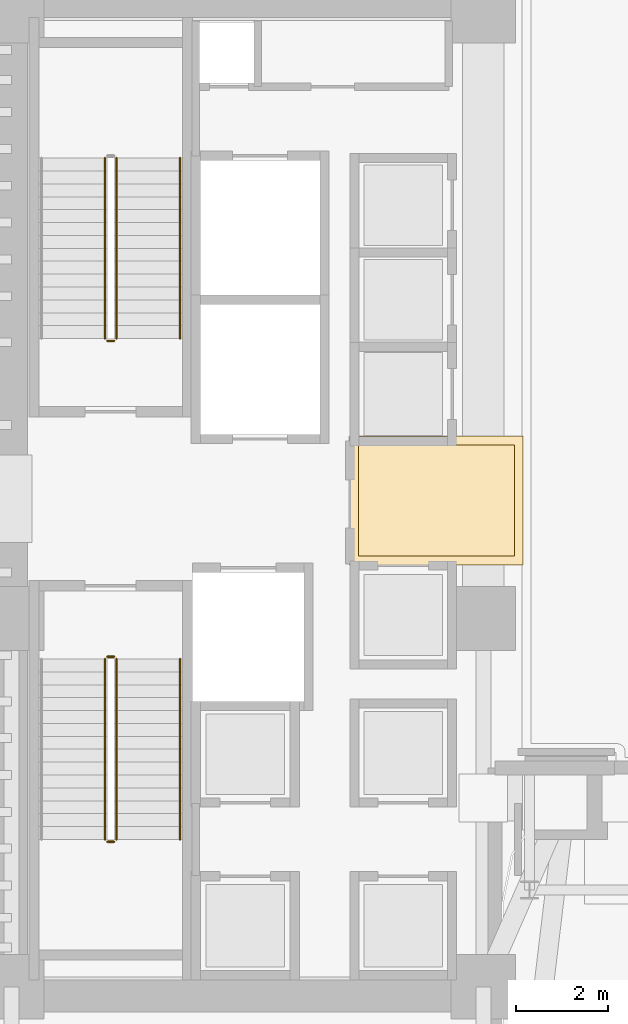
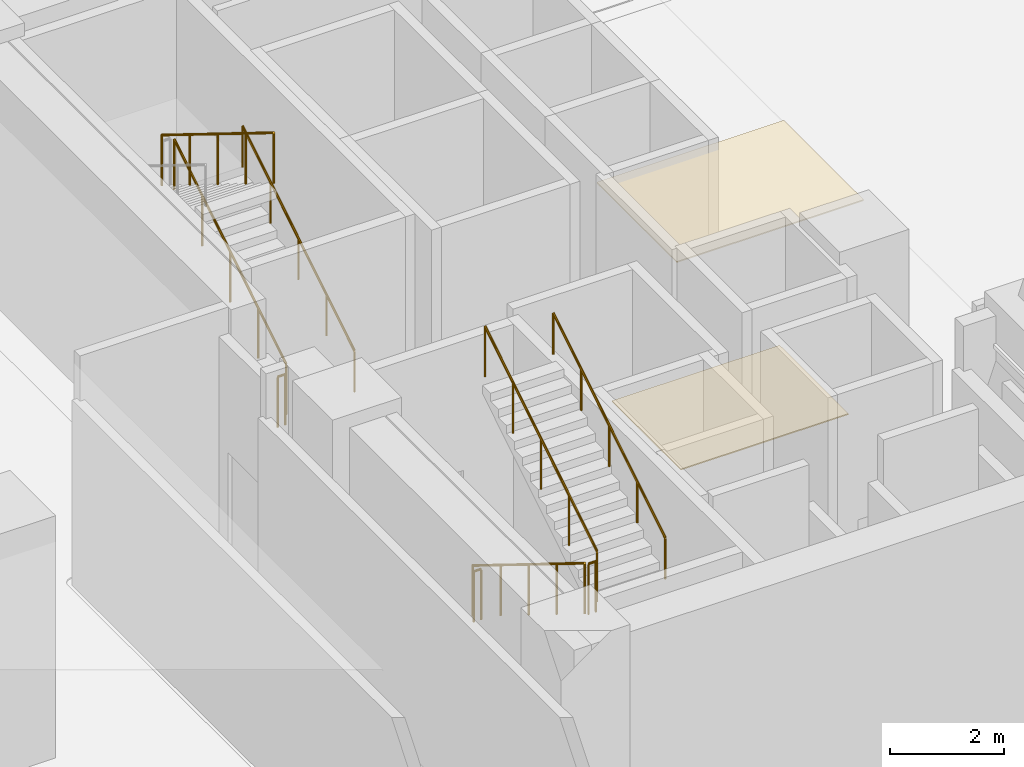
# One storey, part 21 of 27: 9 railings, 2 coverings.
"""IFC4 building model written with IfcOpenShell, lengths in metres."""

from ifc_helpers import new_model, si_unit, direction, frame, origin, origin_2d, place, context, subcontext, project, spatial, polyline, circle, outline, extrude, material, layer, layer_set, type_object, element, save


model = new_model("IFC4")

# Units and contexts
model_context = context("Model", 3, precision=1e-05, world=origin(), true_north=direction((0.0, 1.0)))
body_context = subcontext(model_context, "Body", "Model", "MODEL_VIEW")
ifc_project = project(units=[si_unit("LENGTHUNIT", "METRE"), si_unit("AREAUNIT", "SQUARE_METRE"), si_unit("VOLUMEUNIT", "CUBIC_METRE"), si_unit("PLANEANGLEUNIT", "RADIAN"), si_unit("MASSUNIT", "GRAM", prefix="KILO")], contexts=[model_context])

# Site, building, storey
site_placement = place(None, origin())
site = spatial("IfcSite", under=ifc_project, at=site_placement, CompositionType="ELEMENT")
building_placement = place(site_placement, origin())
building = spatial("IfcBuilding", under=site, at=building_placement, Name="Valdorenza Pilgrim Sanctuary Tower", CompositionType="ELEMENT")
storey_placement = place(building_placement, origin())
storey = spatial("IfcBuildingStorey", under=building, at=storey_placement, Name="L00", CompositionType="ELEMENT", Elevation=0.0)

# Coverings
ifc_material_1 = material(Name="Micro-perforated acoustic mineral ceiling tile", Category="gypsum")
ifc_layer_1 = layer(ifc_material_1, 0.02490234375, Name="Micro-perforated acoustic mineral ceiling tile")
ifc_layer_set_1 = layer_set([ifc_layer_1], Name="Micro-perforated acoustic mineral ceiling tile")
covering_type_1 = type_object("IfcCoveringType", Name="COV-CLG-ACU", PredefinedType="CEILING", material=ifc_layer_set_1)
covering_1_placement = place(storey_placement, frame((0.0, 0.0, 4.6201171875)))
element("IfcCovering", 1, at=covering_1_placement, inside=storey, type_object=covering_type_1, Name="L00 Core A Passenger Lift Lobby Acoustic Ceiling", PredefinedType="CEILING", context=body_context, shape_type="SweptSolid", body=[
    extrude(outline(polyline([(-15.31494140625, 1.35009765625), (-15.31494140625, 1.3515625), (-15.314697265625, 1.352783203125), (-15.314453125, 1.3544921875), (-15.31396484375, 1.355712890625), (-15.313232421875, 1.357177734375), (-15.3125, 1.3583984375), (-15.3115234375, 1.359619140625), (-15.310546875, 1.360595703125), (-15.3095703125, 1.361572265625), (-15.308349609375, 1.362548828125), (-15.30712890625, 1.36328125), (-15.3056640625, 1.364013671875), (-15.304443359375, 1.364501953125), (-15.302978515625, 1.36474609375), (-15.301513671875, 1.364990234375), (-15.300048828125, 1.364990234375), (-11.550048828125, 1.364990234375), (-11.548583984375, 1.364990234375), (-11.547119140625, 1.36474609375), (-11.545654296875, 1.364501953125), (-11.544189453125, 1.364013671875), (-11.54296875, 1.36328125), (-11.541748046875, 1.362548828125), (-11.54052734375, 1.361572265625), (-11.539306640625, 1.360595703125), (-11.538330078125, 1.359619140625), (-11.53759765625, 1.3583984375), (-11.536865234375, 1.357177734375), (-11.5361328125, 1.355712890625), (-11.53564453125, 1.3544921875), (-11.535400390625, 1.352783203125), (-11.53515625, 1.3515625), (-11.534912109375, 1.35009765625), (-11.534912109375, -1.419921875), (-11.53515625, -1.42138671875), (-11.535400390625, -1.4228515625), (-11.53564453125, -1.42431640625), (-11.5361328125, -1.42578125), (-11.536865234375, -1.427001953125), (-11.53759765625, -1.42822265625), (-11.538330078125, -1.429443359375), (-11.539306640625, -1.4306640625), (-11.54052734375, -1.431640625), (-11.541748046875, -1.4326171875), (-11.54296875, -1.43310546875), (-11.544189453125, -1.433837890625), (-11.545654296875, -1.434326171875), (-11.547119140625, -1.434814453125), (-11.548583984375, -1.434814453125), (-11.550048828125, -1.43505859375), (-15.298095703125, -1.43505859375), (-15.299560546875, -1.434814453125), (-15.30078125, -1.434814453125), (-15.302490234375, -1.434326171875), (-15.3037109375, -1.433837890625), (-15.30517578125, -1.43310546875), (-15.306396484375, -1.4326171875), (-15.3076171875, -1.431640625), (-15.30859375, -1.4306640625), (-15.3095703125, -1.429443359375), (-15.310546875, -1.42822265625), (-15.311279296875, -1.427001953125), (-15.31201171875, -1.42578125), (-15.3125, -1.42431640625), (-15.312744140625, -1.4228515625), (-15.31298828125, -1.42138671875), (-15.31298828125, -1.419921875), (-15.31298828125, 1.244384765625), (-15.31298828125, 1.24462890625), (-15.313720703125, 1.24609375), (-15.314208984375, 1.24755859375), (-15.314697265625, 1.2490234375), (-15.31494140625, 1.25048828125), (-15.31494140625, 1.251953125), (-15.31494140625, 1.35009765625)])), origin(), (0.0, 0.0, 1.0), 0.02490234375),
])
ifc_material_2 = material(Name="Honed travertine stone flooring", Category="masonry")
ifc_layer_2 = layer(ifc_material_2, 0.030029296875, Name="Honed travertine stone flooring")
ifc_layer_set_2 = layer_set([ifc_layer_2], Name="Honed travertine stone flooring")
covering_type_2 = type_object("IfcCoveringType", Name="COV-FLR-TRV", PredefinedType="FLOORING", material=ifc_layer_set_2)
covering_2_placement = place(storey_placement, origin())
element("IfcCovering", 2, at=covering_2_placement, inside=storey, type_object=covering_type_2, Name="L00 Core A Passenger Lift Lobby Flooring", PredefinedType="FLOORING", context=body_context, shape_type="SweptSolid", body=[
    extrude(outline(polyline([(-15.117919921875, 1.169921875), (-11.72998046875, 1.169921875), (-11.72998046875, -1.239990234375), (-15.117919921875, -1.239990234375), (-15.117919921875, 1.169921875)])), origin(), (0.0, 0.0, 1.0), 0.02490234375),
])

# Railings
ifc_material_3 = material(Name="Stainless steel Grade 316", Category="steel")
railing_type_1 = type_object("IfcRailingType", Name="RLG-GRD-1120", PredefinedType="GUARDRAIL", material=ifc_material_3)
railing_1_placement = place(storey_placement, frame((-20.3701171875, 3.47998046875, 0.17333984375)))
element("IfcRailing", 3, at=railing_1_placement, inside=storey, type_object=railing_type_1, Name="L00 ST-A1 stair guard 1", PredefinedType="GUARDRAIL", context=body_context, shape_type="SweptSolid", body=[
    extrude(circle(Radius=0.02392578125, at=origin_2d()), frame((0.0, 0.0, 1.076171875), z_axis=(0.0, 0.850251603719, 0.526376491091), x_axis=(-1.0, 0.0, 0.0)), (0.0, 0.0, 1.0), 4.6103515625),
    extrude(circle(Radius=0.02099609375, at=origin_2d()), origin(), (0.0, 0.0, 1.0), 1.052001953125),
    extrude(circle(Radius=0.02099609375, at=origin_2d()), frame((0.0, 0.97998046875, 0.606689453125)), (0.0, 0.0, 1.0), 1.052001953125),
    extrude(circle(Radius=0.02099609375, at=origin_2d()), frame((0.0, 1.9599609375, 1.21337890625)), (0.0, 0.0, 1.0), 1.052001953125),
    extrude(circle(Radius=0.02099609375, at=origin_2d()), frame((0.0, 2.93994140625, 1.820068359375)), (0.0, 0.0, 1.0), 1.052001953125),
    extrude(circle(Radius=0.02099609375, at=origin_2d()), frame((0.0, 3.919921875, 2.4267578125)), (0.0, 0.0, 1.0), 1.052001953125),
])
railing_2_placement = place(storey_placement, frame((-20.6201171875, 7.39990234375, 2.7734375)))
element("IfcRailing", 4, at=railing_2_placement, inside=storey, type_object=railing_type_1, Name="L00 ST-A1 stair guard 3", PredefinedType="GUARDRAIL", context=body_context, shape_type="SweptSolid", body=[
    extrude(circle(Radius=0.02392578125, at=origin_2d()), frame((0.0, 0.0, 1.076171875), z_axis=(0.0, -0.850275303828, 0.526338206574), x_axis=(1.0, 0.0, 0.0)), (0.0, 0.0, 1.0), 4.610107421875),
    extrude(circle(Radius=0.02099609375, at=origin_2d()), origin(), (0.0, 0.0, 1.0), 1.052001953125),
    extrude(circle(Radius=0.02099609375, at=origin_2d()), frame((0.0, -0.97998046875, 0.606689453125)), (0.0, 0.0, 1.0), 1.052001953125),
    extrude(circle(Radius=0.02099609375, at=origin_2d()), frame((0.0, -1.9599609375, 1.21337890625)), (0.0, 0.0, 1.0), 1.052001953125),
    extrude(circle(Radius=0.02099609375, at=origin_2d()), frame((0.0, -2.93994140625, 1.81982421875)), (0.0, 0.0, 1.0), 1.052001953125),
    extrude(circle(Radius=0.02099609375, at=origin_2d()), frame((0.0, -3.919921875, 2.426513671875)), (0.0, 0.0, 1.0), 1.052001953125),
])
railing_3_placement = place(storey_placement, frame((-20.419921875, 3.429931640625, 0.0)))
element("IfcRailing", 5, at=railing_3_placement, inside=storey, type_object=railing_type_1, Name="L00 ST-A1 stair guard 4", PredefinedType="GUARDRAIL", context=body_context, shape_type="SweptSolid", body=[
    extrude(circle(Radius=0.02392578125, at=origin_2d()), frame((0.0, 0.0, 1.076171875), z_axis=(-1.0, 0.0, 0.0), x_axis=(0.0, -1.0, 0.0)), (0.0, 0.0, 1.0), 0.150146484375),
    extrude(circle(Radius=0.02099609375, at=origin_2d()), origin(), (0.0, 0.0, 1.0), 1.052001953125),
    extrude(circle(Radius=0.02099609375, at=origin_2d()), frame((-0.150146484375, 0.0, 0.0)), (0.0, 0.0, 1.0), 1.052001953125),
])
railing_4_placement = place(storey_placement, frame((-20.6201171875, -3.47998046875, 0.17333984375)))
element("IfcRailing", 6, at=railing_4_placement, inside=storey, type_object=railing_type_1, Name="L00 ST-A2 stair guard 1", PredefinedType="GUARDRAIL", context=body_context, shape_type="SweptSolid", body=[
    extrude(circle(Radius=0.02392578125, at=origin_2d()), frame((0.0, 0.0, 1.076171875), z_axis=(0.0, -0.850251603719, 0.526376491091), x_axis=(1.0, 0.0, 0.0)), (0.0, 0.0, 1.0), 4.6103515625),
    extrude(circle(Radius=0.02099609375, at=origin_2d()), origin(), (0.0, 0.0, 1.0), 1.052001953125),
    extrude(circle(Radius=0.02099609375, at=origin_2d()), frame((0.0, -0.97998046875, 0.606689453125)), (0.0, 0.0, 1.0), 1.052001953125),
    extrude(circle(Radius=0.02099609375, at=origin_2d()), frame((0.0, -1.9599609375, 1.21337890625)), (0.0, 0.0, 1.0), 1.052001953125),
    extrude(circle(Radius=0.02099609375, at=origin_2d()), frame((0.0, -2.93994140625, 1.820068359375)), (0.0, 0.0, 1.0), 1.052001953125),
    extrude(circle(Radius=0.02099609375, at=origin_2d()), frame((0.0, -3.919921875, 2.4267578125)), (0.0, 0.0, 1.0), 1.052001953125),
])
railing_5_placement = place(storey_placement, frame((-20.570068359375, -7.449951171875, 2.60009765625)))
element("IfcRailing", 7, at=railing_5_placement, inside=storey, type_object=railing_type_1, Name="L00 ST-A2 stair guard 2", PredefinedType="GUARDRAIL", context=body_context, shape_type="SweptSolid", body=[
    extrude(circle(Radius=0.02392578125, at=origin_2d()), frame((0.0, 0.0, 1.076171875), z_axis=(1.0, 0.0, 0.0), x_axis=(0.0, 1.0, 0.0)), (0.0, 0.0, 1.0), 0.150146484375),
    extrude(circle(Radius=0.02099609375, at=origin_2d()), origin(), (0.0, 0.0, 1.0), 1.052001953125),
    extrude(circle(Radius=0.02099609375, at=origin_2d()), frame((0.150146484375, 0.0, 0.0)), (0.0, 0.0, 1.0), 1.052001953125),
])
railing_6_placement = place(storey_placement, frame((-20.3701171875, -7.39990234375, 2.7734375)))
element("IfcRailing", 8, at=railing_6_placement, inside=storey, type_object=railing_type_1, Name="L00 ST-A2 stair guard 3", PredefinedType="GUARDRAIL", context=body_context, shape_type="SweptSolid", body=[
    extrude(circle(Radius=0.02392578125, at=origin_2d()), frame((0.0, 0.0, 1.076171875), z_axis=(0.0, 0.850275303828, 0.526338206574), x_axis=(-1.0, 0.0, 0.0)), (0.0, 0.0, 1.0), 4.610107421875),
    extrude(circle(Radius=0.02099609375, at=origin_2d()), origin(), (0.0, 0.0, 1.0), 1.052001953125),
    extrude(circle(Radius=0.02099609375, at=origin_2d()), frame((0.0, 0.97998046875, 0.606689453125)), (0.0, 0.0, 1.0), 1.052001953125),
    extrude(circle(Radius=0.02099609375, at=origin_2d()), frame((0.0, 1.9599609375, 1.21337890625)), (0.0, 0.0, 1.0), 1.052001953125),
    extrude(circle(Radius=0.02099609375, at=origin_2d()), frame((0.0, 2.93994140625, 1.81982421875)), (0.0, 0.0, 1.0), 1.052001953125),
    extrude(circle(Radius=0.02099609375, at=origin_2d()), frame((0.0, 3.919921875, 2.426513671875)), (0.0, 0.0, 1.0), 1.052001953125),
])
railing_7_placement = place(storey_placement, frame((-20.570068359375, -3.429931640625, 0.0)))
element("IfcRailing", 9, at=railing_7_placement, inside=storey, type_object=railing_type_1, Name="L00 ST-A2 stair guard 4", PredefinedType="GUARDRAIL", context=body_context, shape_type="SweptSolid", body=[
    extrude(circle(Radius=0.02392578125, at=origin_2d()), frame((0.0, 0.0, 1.076171875), z_axis=(1.0, 0.0, 0.0), x_axis=(0.0, 1.0, 0.0)), (0.0, 0.0, 1.0), 0.150146484375),
    extrude(circle(Radius=0.02099609375, at=origin_2d()), origin(), (0.0, 0.0, 1.0), 1.052001953125),
    extrude(circle(Radius=0.02099609375, at=origin_2d()), frame((0.150146484375, 0.0, 0.0)), (0.0, 0.0, 1.0), 1.052001953125),
])
ifc_material_4 = material(Name="Brushed stainless steel Grade 316", Category="steel")
railing_type_2 = type_object("IfcRailingType", Name="RLG-HND-920", PredefinedType="HANDRAIL", material=ifc_material_4)
railing_8_placement = place(storey_placement, frame((-18.989990234375, 3.47998046875, 0.17333984375)))
element("IfcRailing", 10, at=railing_8_placement, inside=storey, type_object=railing_type_2, Name="L00 ST-A1 stair handrail 1", PredefinedType="HANDRAIL", context=body_context, shape_type="SweptSolid", body=[
    extrude(circle(Radius=0.02392578125, at=origin_2d()), frame((0.0, 0.0, 0.8759765625), z_axis=(0.0, 0.850251603719, 0.526376491091), x_axis=(-1.0, 0.0, 0.0)), (0.0, 0.0, 1.0), 4.6103515625),
    extrude(circle(Radius=0.02099609375, at=origin_2d()), origin(), (0.0, 0.0, 1.0), 0.851806640625),
    extrude(circle(Radius=0.02099609375, at=origin_2d()), frame((0.0, 0.97998046875, 0.606689453125)), (0.0, 0.0, 1.0), 0.851806640625),
    extrude(circle(Radius=0.02099609375, at=origin_2d()), frame((0.0, 1.9599609375, 1.21337890625)), (0.0, 0.0, 1.0), 0.851806640625),
    extrude(circle(Radius=0.02099609375, at=origin_2d()), frame((0.0, 2.93994140625, 1.820068359375)), (0.0, 0.0, 1.0), 0.851806640625),
    extrude(circle(Radius=0.02099609375, at=origin_2d()), frame((0.0, 3.919921875, 2.4267578125)), (0.0, 0.0, 1.0), 0.851806640625),
])
railing_9_placement = place(storey_placement, frame((-18.989990234375, -7.39990234375, 2.7734375)))
element("IfcRailing", 11, at=railing_9_placement, inside=storey, type_object=railing_type_2, Name="L00 ST-A2 stair handrail 2", PredefinedType="HANDRAIL", context=body_context, shape_type="SweptSolid", body=[
    extrude(circle(Radius=0.02392578125, at=origin_2d()), frame((0.0, 0.0, 0.8759765625), z_axis=(0.0, 0.850275303828, 0.526338206574), x_axis=(-1.0, 0.0, 0.0)), (0.0, 0.0, 1.0), 4.610107421875),
    extrude(circle(Radius=0.02099609375, at=origin_2d()), origin(), (0.0, 0.0, 1.0), 0.851806640625),
    extrude(circle(Radius=0.02099609375, at=origin_2d()), frame((0.0, 0.97998046875, 0.606689453125)), (0.0, 0.0, 1.0), 0.851806640625),
    extrude(circle(Radius=0.02099609375, at=origin_2d()), frame((0.0, 1.9599609375, 1.21337890625)), (0.0, 0.0, 1.0), 0.851806640625),
    extrude(circle(Radius=0.02099609375, at=origin_2d()), frame((0.0, 2.93994140625, 1.81982421875)), (0.0, 0.0, 1.0), 0.851806640625),
    extrude(circle(Radius=0.02099609375, at=origin_2d()), frame((0.0, 3.919921875, 2.426513671875)), (0.0, 0.0, 1.0), 0.851806640625),
])

save(model, "model.ifc")
